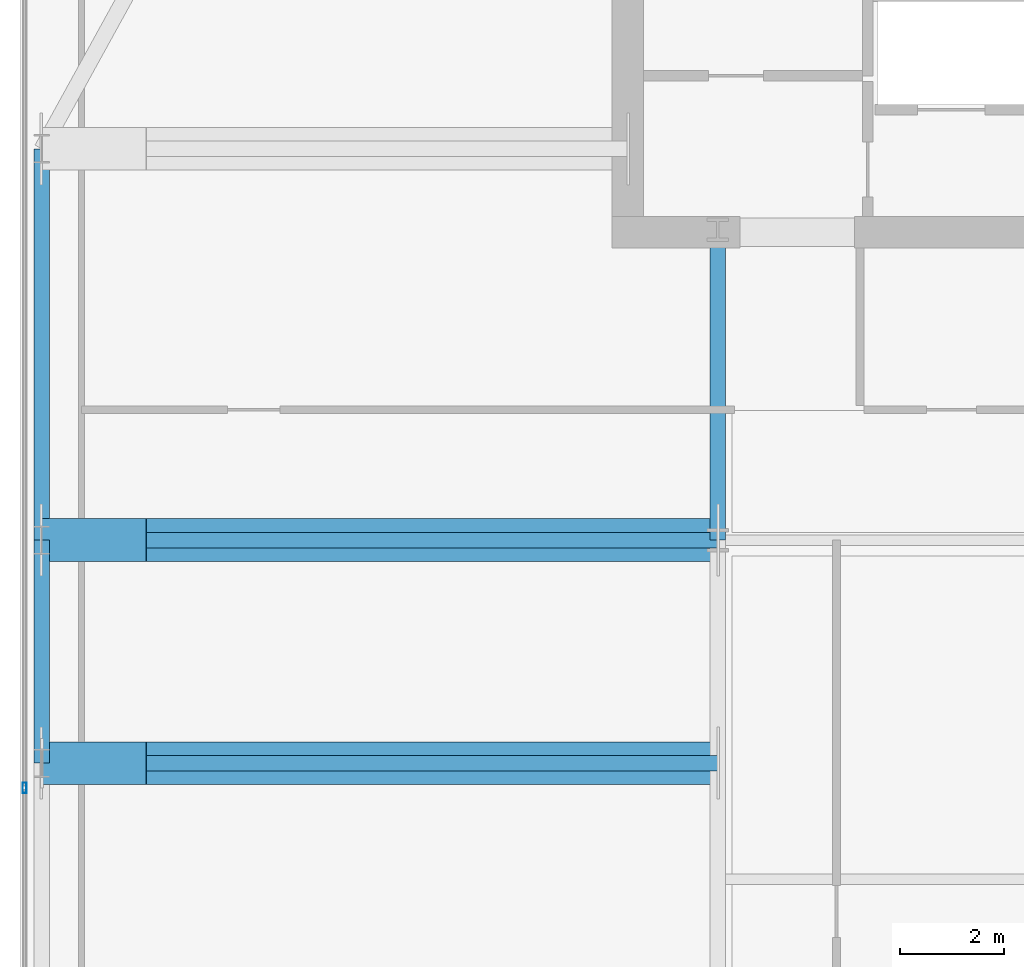
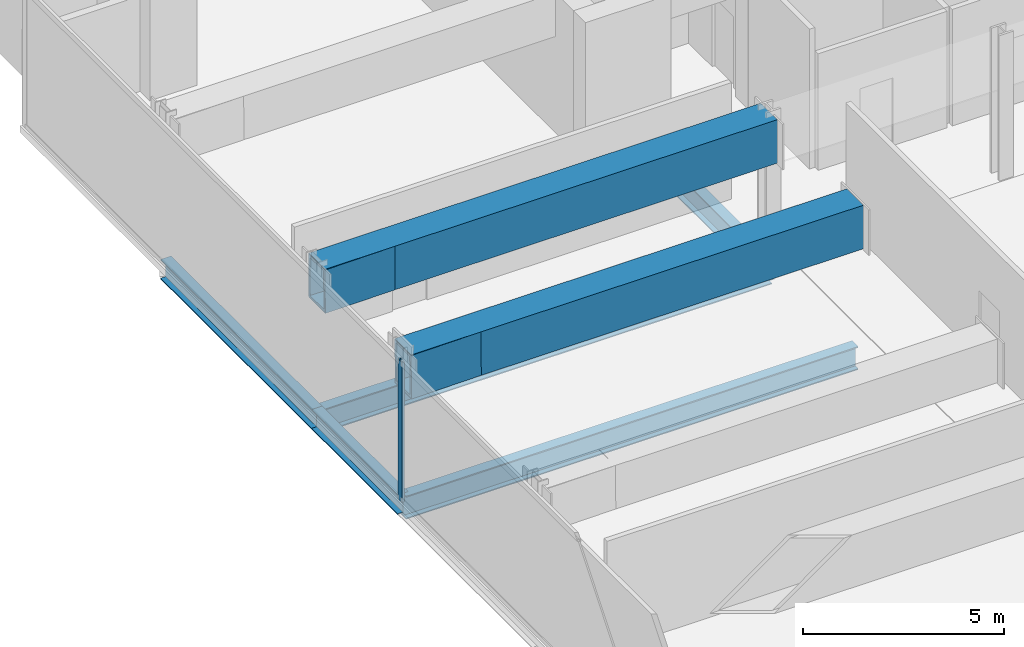
# One storey, part 9 of 25: 9 beams, 1 member, 1 element without a shape of its own.
"""IFC4 building model written with IfcOpenShell, lengths in metres."""

from ifc_helpers import new_model, si_unit, direction, frame, origin, origin_2d, place, context, subcontext, project, spatial, hollow_rectangle, i_section, extrude, material, material_profile, profile_set, type_object, element, aggregate, save


model = new_model("IFC4")

# Units and contexts
model_context = context("Model", 3, precision=1e-05, world=origin(), true_north=direction((0.0, 1.0)))
body_context = subcontext(model_context, "Body", "Model", "MODEL_VIEW")
ifc_project = project(units=[si_unit("LENGTHUNIT", "METRE"), si_unit("AREAUNIT", "SQUARE_METRE"), si_unit("VOLUMEUNIT", "CUBIC_METRE"), si_unit("PLANEANGLEUNIT", "RADIAN"), si_unit("MASSUNIT", "GRAM", prefix="KILO")], contexts=[model_context])

# Site, building, storey
site_placement = place(None, origin())
site = spatial("IfcSite", under=ifc_project, at=site_placement, CompositionType="ELEMENT")
building_placement = place(site_placement, origin())
building = spatial("IfcBuilding", under=site, at=building_placement, Name="Khoronbel Lancet Exchange", CompositionType="ELEMENT")
storey_placement = place(building_placement, frame((0.0, 0.0, 184.199951171875)))
storey = spatial("IfcBuildingStorey", under=building, at=storey_placement, Name="L46", CompositionType="ELEMENT", Elevation=184.199951171875)

# Beams
ifc_material_1 = material(Name="Steel S355", Category="steel")
ifc_material_profile_1 = material_profile(ifc_material_1, i_section(OverallWidth=0.300048828125, OverallDepth=0.699951171875, WebThickness=0.01708984375, FlangeThickness=0.031982421875, at=origin_2d()), Name="HEB 700")
ifc_profile_set_1 = profile_set([ifc_material_profile_1], Name="Steel S355")
beam_type_1 = type_object("IfcBeamType", Name="BM-BG3", PredefinedType="BEAM", material=ifc_profile_set_1)
beam_1_placement = place(storey_placement, frame((18.22509765625, 35.699951171875, -0.550048828125), z_axis=(0.0, 1.0, 0.0), x_axis=(-1.0, 0.0, 0.0)))
element("IfcBeam", 1, at=beam_1_placement, inside=storey, type_object=beam_type_1, Name="Level L46 spine tie girder GN1", PredefinedType="BEAM", context=body_context, shape_type="SweptSolid", body=[
    extrude(i_section(OverallWidth=0.300048828125, OverallDepth=0.699951171875, WebThickness=0.01708984375, FlangeThickness=0.031982421875, at=origin_2d()), origin(), (0.0, 0.0, 1.0), 5.900146484375),
])
for number, where, z_axis, x_axis, name in (
    (2, (5.27001953125, 31.425048828125, -0.550048828125), (1.0, 0.0, 0.0), (0.0, 1.0, 0.0), "Level L46 west lens tie girder LG2W"),
    (3, (5.27001953125, 35.699951171875, -0.550048828125), (1.0, 0.0, 0.0), (0.0, 1.0, 0.0), "Level L46 west lens tie girder LG4W"),
):
    element("IfcBeam", number, at=place(storey_placement, frame(where, z_axis=z_axis, x_axis=x_axis)), inside=storey, type_object=beam_type_1, Name=name, PredefinedType="BEAM", context=body_context, shape_type="SweptSolid", body=[
        extrude(i_section(OverallWidth=0.300048828125, OverallDepth=0.699951171875, WebThickness=0.01708984375, FlangeThickness=0.031982421875, at=origin_2d()), origin(), (0.0, 0.0, 1.0), 12.955078125),
    ])
ifc_material_profile_2 = material_profile(ifc_material_1, i_section(OverallWidth=0.300048828125, OverallDepth=0.60009765625, WebThickness=0.015380859375, FlangeThickness=0.030029296875, at=origin_2d()), Name="HEB 600")
ifc_profile_set_2 = profile_set([ifc_material_profile_2], Name="Steel S355")
beam_type_2 = type_object("IfcBeamType", Name="BM-BSP2", PredefinedType="SPANDREL", material=ifc_profile_set_2)
beam_2_placement = place(storey_placement, frame((5.27001953125, 43.199951171875, -0.5), z_axis=(0.0, -1.0, 0.0), x_axis=(1.0, 0.0, 0.0)))
element("IfcBeam", 4, at=beam_2_placement, inside=storey, type_object=beam_type_2, Name="Level L46 perimeter spandrel beam SP17", PredefinedType="SPANDREL", context=body_context, shape_type="SweptSolid", body=[
    extrude(i_section(OverallWidth=0.300048828125, OverallDepth=0.60009765625, WebThickness=0.015380859375, FlangeThickness=0.030029296875, at=origin_2d()), origin(), (0.0, 0.0, 1.0), 7.5),
])
beam_3_placement = place(storey_placement, frame((5.27001953125, 35.699951171875, -0.5), z_axis=(0.0, -1.0, 0.0), x_axis=(1.0, 0.0, 0.0)))
element("IfcBeam", 5, at=beam_3_placement, inside=storey, type_object=beam_type_2, Name="Level L46 perimeter spandrel beam SP18", PredefinedType="SPANDREL", context=body_context, shape_type="SweptSolid", body=[
    extrude(i_section(OverallWidth=0.300048828125, OverallDepth=0.60009765625, WebThickness=0.015380859375, FlangeThickness=0.030029296875, at=origin_2d()), origin(), (0.0, 0.0, 1.0), 4.27490234375),
])
ifc_material_2 = material(Name="Steel S460", Category="steel")
ifc_material_profile_3 = material_profile(ifc_material_2, hollow_rectangle(XDim=0.820068359375, YDim=1.320068359375, WallThickness=0.070068359375, at=origin_2d()), Name="BOX 820x1320x70")
ifc_profile_set_3 = profile_set([ifc_material_profile_3], Name="Steel S460")
beam_type_3 = type_object("IfcBeamType", Name="BM-TG4", PredefinedType="USERDEFINED", material=ifc_profile_set_3)
for number, where, z_axis, x_axis, name in (
    (6, (5.27001953125, 31.425048828125, 3.56005859375), (0.99994990606, 0.0, 0.010009264196), (0.0, 1.0, 0.0), "Setback transfer knee-brace girder L46-WC-M"),
    (7, (5.27001953125, 35.699951171875, 3.56005859375), (0.99994990606, 0.0, 0.010009264196), (0.0, 1.0, 0.0), "Setback transfer knee-brace girder L46-WC-3"),
):
    element("IfcBeam", number, at=place(storey_placement, frame(where, z_axis=z_axis, x_axis=x_axis)), inside=storey, type_object=beam_type_3, Name=name, ObjectType="TRANSFER GIRDER", PredefinedType="USERDEFINED", context=body_context, shape_type="SweptSolid", body=[
        extrude(hollow_rectangle(XDim=0.820068359375, YDim=1.320068359375, WallThickness=0.070068359375, at=origin_2d()), origin(), (0.0, 0.0, 1.0), 2.0),
    ])
for number, where, z_axis, x_axis, name in (
    (8, (5.27001953125, 31.425048828125, 3.580078125), (1.0, 0.0, 0.0), (0.0, 1.0, 0.0), "Lens setback S460 transfer girder L46-W3"),
    (9, (5.27001953125, 35.699951171875, 3.580078125), (1.0, 0.0, 0.0), (0.0, 1.0, 0.0), "Lens setback S460 transfer girder L46-W4"),
):
    element("IfcBeam", number, at=place(storey_placement, frame(where, z_axis=z_axis, x_axis=x_axis)), inside=storey, type_object=beam_type_3, Name=name, ObjectType="TRANSFER GIRDER", PredefinedType="USERDEFINED", context=body_context, shape_type="SweptSolid", body=[
        extrude(hollow_rectangle(XDim=0.820068359375, YDim=1.320068359375, WallThickness=0.070068359375, at=origin_2d()), origin(), (0.0, 0.0, 1.0), 12.955078125),
    ])

# Curtain wall, member
ifc_material_3 = material(Name="Low-E Solar Control Insulating Glass", Category="glass")
curtain_wall_type = type_object("IfcCurtainWallType", Name="CW-4", PredefinedType="NOTDEFINED", material=ifc_material_3)
curtain_wall_placement = place(storey_placement, origin())
curtain_wall = element("IfcCurtainWall", 10, at=curtain_wall_placement, inside=storey, type_object=curtain_wall_type, Name="Unitised curtain wall CW-L46-E03", PredefinedType="NOTDEFINED")
ifc_material_4 = material(Name="Bronze-Anodised Aluminium 6063-T6", Category="aluminium")
ifc_material_profile_4 = material_profile(ifc_material_4, hollow_rectangle(XDim=0.074951171875, YDim=0.199951171875, WallThickness=0.0048828125, at=origin_2d()), Name="ALU MULLION 75x200")
ifc_profile_set_4 = profile_set([ifc_material_profile_4], Name="Bronze-Anodised Aluminium 6063-T6")
member_type = type_object("IfcMemberType", Name="MEM-CWM2", PredefinedType="MULLION", material=ifc_profile_set_4)
member_placement = place(storey_placement, frame((4.93994140625, 30.949951171875, 0.0), z_axis=(0.0, 0.0, 1.0), x_axis=(-1.0, 0.0, 0.0)))
member = element("IfcMember", 11, at=member_placement, type_object=member_type, Name="CW4 mullion 2", PredefinedType="MULLION", context=body_context, shape_type="SweptSolid", body=[
    extrude(hollow_rectangle(XDim=0.074951171875, YDim=0.199951171875, WallThickness=0.0048828125, at=origin_2d()), origin(), (0.0, 0.0, 1.0), 4.239990234375),
])
aggregate(curtain_wall, [member])

save(model, "model.ifc")
